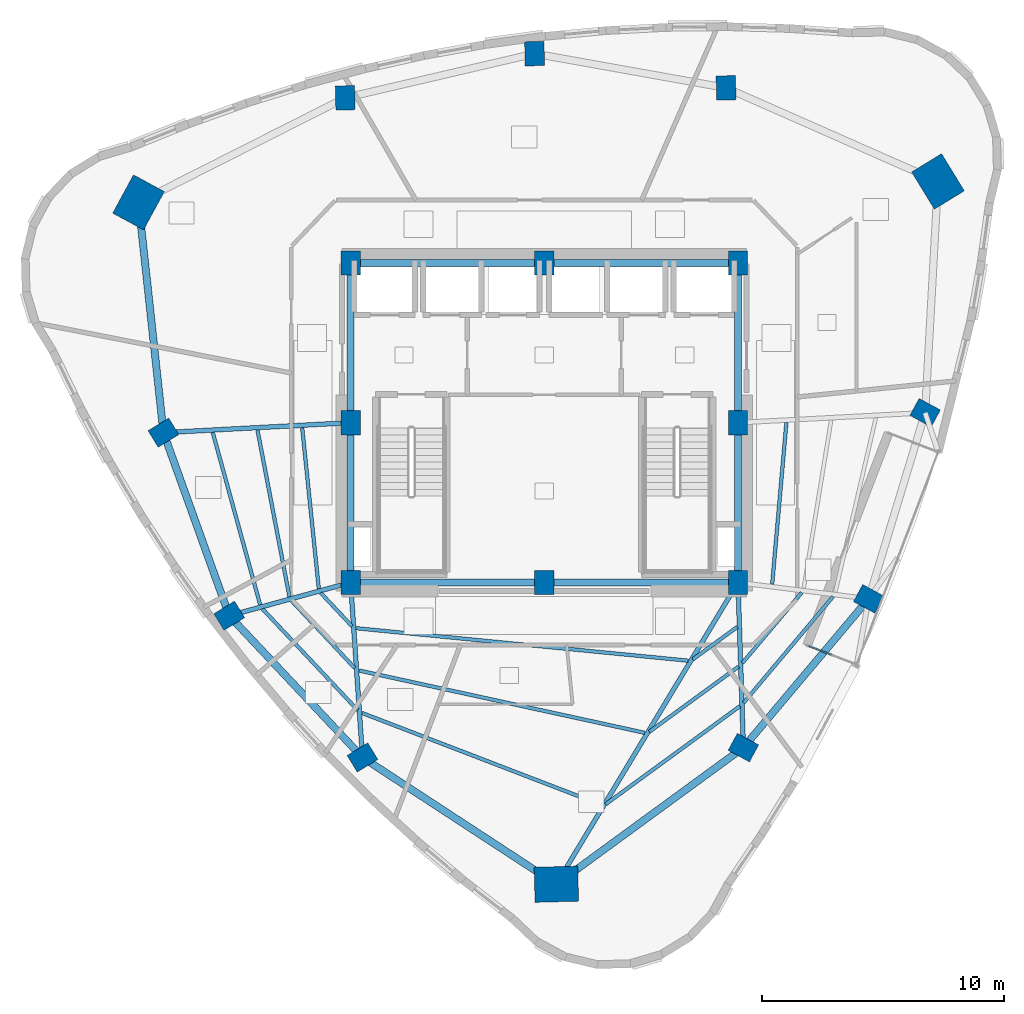
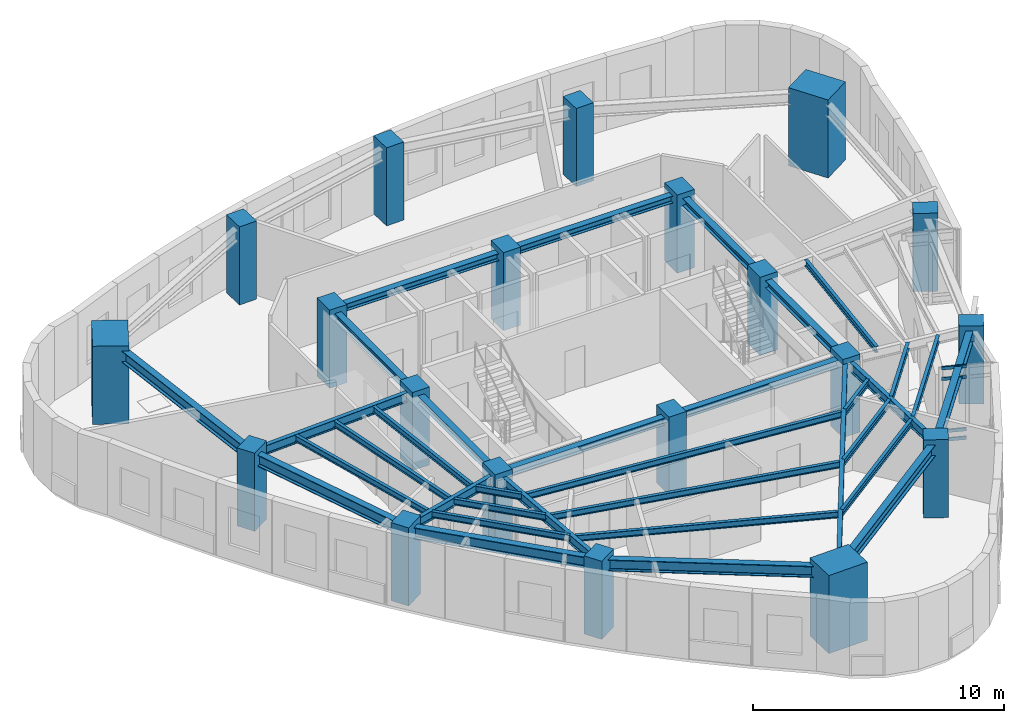
# One storey, part 1 of 10: 34 beams, 20 columns, 4 members, 1 element without a shape of its own.
"""IFC4 building model written with IfcOpenShell, lengths in metres."""

from ifc_helpers import new_model, si_unit, direction, frame, origin, origin_2d, place, context, subcontext, project, spatial, rectangle, hollow_rectangle, i_section, extrude, material, layer, layer_set, material_profile, profile_set, type_object, element, aggregate, save


model = new_model("IFC4")

# Units and contexts
model_context = context("Model", 3, precision=1e-05, world=origin(), true_north=direction((0.0, 1.0)))
body_context = subcontext(model_context, "Body", "Model", "MODEL_VIEW")
ifc_project = project(units=[si_unit("LENGTHUNIT", "METRE"), si_unit("AREAUNIT", "SQUARE_METRE"), si_unit("VOLUMEUNIT", "CUBIC_METRE"), si_unit("PLANEANGLEUNIT", "RADIAN"), si_unit("MASSUNIT", "GRAM", prefix="KILO")], contexts=[model_context])

# Site, building, storey
site_placement = place(None, origin())
site = spatial("IfcSite", under=ifc_project, at=site_placement, CompositionType="ELEMENT")
building_placement = place(site_placement, origin())
building = spatial("IfcBuilding", under=site, at=building_placement, Name="Ndelora Gate Hotel", CompositionType="ELEMENT")
storey_placement = place(building_placement, frame((0.0, 0.0, 239.75)))
storey = spatial("IfcBuildingStorey", under=building, at=storey_placement, Name="L60", CompositionType="ELEMENT", Elevation=239.75)

# Columns
ifc_material_1 = material(Name="Concrete C50/60", Category="concrete")
ifc_material_profile_1 = material_profile(ifc_material_1, rectangle(XDim=0.800048828125, YDim=1.0, at=origin_2d()), Name="RC 1000x800")
ifc_profile_set_1 = profile_set([ifc_material_profile_1], Name="Concrete C50/60")
column_type_1 = type_object("IfcColumnType", Name="COL-CC-HI", PredefinedType="COLUMN", material=ifc_profile_set_1)
for number, where, z_axis, x_axis, name in (
    (1, (-8.0, -6.60009765625, 0.0), (0.0, 0.0, 1.0), (1.0, 0.0, 0.0), "L60 Core Column CC1"),
    (2, (0.0, -6.60009765625, 0.0), (0.0, 0.0, 1.0), (1.0, 0.0, 0.0), "L60 Core Column CC2"),
    (3, (8.0, -6.60009765625, 0.0), (0.0, 0.0, 1.0), (1.0, 0.0, 0.0), "L60 Core Column CC3"),
    (4, (8.0, 0.0, 0.0), (0.0, 0.0, 1.0), (1.0, 0.0, 0.0), "L60 Core Column CC4"),
    (5, (8.0, 6.60009765625, 0.0), (0.0, 0.0, 1.0), (1.0, 0.0, 0.0), "L60 Core Column CC5"),
    (6, (0.0, 6.60009765625, 0.0), (0.0, 0.0, 1.0), (1.0, 0.0, 0.0), "L60 Core Column CC6"),
    (7, (-8.0, 6.60009765625, 0.0), (0.0, 0.0, 1.0), (1.0, 0.0, 0.0), "L60 Core Column CC7"),
    (8, (-8.0, 0.0, 0.0), (0.0, 0.0, 1.0), (1.0, 0.0, 0.0), "L60 Core Column CC8"),
):
    element("IfcColumn", number, at=place(storey_placement, frame(where, z_axis=z_axis, x_axis=x_axis)), inside=storey, type_object=column_type_1, Name=name, PredefinedType="COLUMN", context=body_context, shape_type="SweptSolid", body=[
        extrude(rectangle(XDim=0.800048828125, YDim=1.0, at=origin_2d()), origin(), (0.0, 0.0, 1.0), 3.800048828125),
    ])
ifc_material_profile_2 = material_profile(ifc_material_1, rectangle(XDim=1.449951171875, YDim=1.800048828125, at=origin_2d()), Name="RC 1800x1450")
ifc_profile_set_2 = profile_set([ifc_material_profile_2], Name="Concrete C50/60")
column_type_2 = type_object("IfcColumnType", Name="COL-MC-Z3", PredefinedType="COLUMN", material=ifc_profile_set_2)
for number, where, z_axis, x_axis, name in (
    (9, (-16.759521484375, 9.099609375, 0.0), (0.0, 0.0, 1.0), (-0.878817112662, 0.47715876026, 0.0), "L60 Corner Mega-Column R1"),
    (10, (0.499267578125, -19.064208984375, 0.0), (0.0, 0.0, 1.0), (-0.026176948308, 0.999657324976, 0.0), "L60 Corner Mega-Column R5"),
    (11, (16.26025390625, 9.96435546875, 0.0), (0.0, 0.0, 1.0), (0.852640164354, 0.522498564716, 0.0), "L60 Corner Mega-Column R9"),
):
    element("IfcColumn", number, at=place(storey_placement, frame(where, z_axis=z_axis, x_axis=x_axis)), inside=storey, type_object=column_type_2, Name=name, PredefinedType="COLUMN", context=body_context, shape_type="SweptSolid", body=[
        extrude(rectangle(XDim=1.449951171875, YDim=1.800048828125, at=origin_2d()), origin(), (0.0, 0.0, 1.0), 3.800048828125),
    ])
ifc_material_profile_3 = material_profile(ifc_material_1, rectangle(XDim=0.800048828125, YDim=1.0, at=origin_2d()), Name="RC 1000x800")
ifc_profile_set_3 = profile_set([ifc_material_profile_3], Name="Concrete C50/60")
column_type_3 = type_object("IfcColumnType", Name="COL-PT-Z3", PredefinedType="COLUMN", material=ifc_profile_set_3)
for number, where, z_axis, x_axis, name in (
    (12, (-15.72998046875, -0.411865234375, 0.0), (0.0, 0.0, 1.0), (-0.522498564716, 0.852640164354, 0.0), "L60 Perimeter Tube Column R2"),
    (13, (-13.011962890625, -7.973876953125, 0.0), (0.0, 0.0, 1.0), (-0.522498564716, 0.852640164354, 0.0), "L60 Perimeter Tube Column R3"),
    (14, (-7.50830078125, -13.828369140625, 0.0), (0.0, 0.0, 1.0), (-0.522498564716, 0.852640164354, 0.0), "L60 Perimeter Tube Column R4"),
    (15, (8.223876953125, -13.419921875, 0.0), (0.0, 0.0, 1.0), (0.47715876026, 0.878817112662, 0.0), "L60 Perimeter Tube Column R6"),
    (16, (13.400390625, -7.275634765625, 0.0), (0.0, 0.0, 1.0), (0.47715876026, 0.878817112662, 0.0), "L60 Perimeter Tube Column R7"),
    (17, (15.72998046875, 0.411865234375, 0.0), (0.0, 0.0, 1.0), (0.47715876026, 0.878817112662, 0.0), "L60 Perimeter Tube Column R8"),
    (18, (7.50830078125, 13.828369140625, 0.0), (0.0, 0.0, 1.0), (0.999657324976, 0.026176948308, 0.0), "L60 Perimeter Tube Column R10"),
    (19, (-0.399169921875, 15.242919921875, 0.0), (0.0, 0.0, 1.0), (0.999657324976, 0.026176948308, 0.0), "L60 Perimeter Tube Column R11"),
    (20, (-8.2216796875, 13.41650390625, 0.0), (0.0, 0.0, 1.0), (0.999657324976, 0.026176948308, 0.0), "L60 Perimeter Tube Column R12"),
):
    element("IfcColumn", number, at=place(storey_placement, frame(where, z_axis=z_axis, x_axis=x_axis)), inside=storey, type_object=column_type_3, Name=name, PredefinedType="COLUMN", context=body_context, shape_type="SweptSolid", body=[
        extrude(rectangle(XDim=0.800048828125, YDim=1.0, at=origin_2d()), origin(), (0.0, 0.0, 1.0), 3.800048828125),
    ])

# Beams
ifc_material_2 = material(Name="Steel S355", Category="steel")
ifc_material_profile_4 = material_profile(ifc_material_2, i_section(OverallWidth=0.300048828125, OverallDepth=0.35009765625, WebThickness=0.010009765625, FlangeThickness=0.017578125, FilletRadius=0.027099609375, at=origin_2d()), Name="HEA 360")
ifc_profile_set_4 = profile_set([ifc_material_profile_4], Name="Steel S355")
beam_type_1 = type_object("IfcBeamType", Name="BM-CORE-350", PredefinedType="BEAM", material=ifc_profile_set_4)
for number, where, z_axis, x_axis, name in (
    (21, (-8.0, 6.60009765625, 3.375), (1.0, 0.0, 0.0), (0.0, 1.0, 0.0), "L60 Core Tie Girder CC7-CC6"),
    (22, (0.0, 6.60009765625, 3.375), (1.0, 0.0, 0.0), (0.0, 1.0, 0.0), "L60 Core Tie Girder CC6-CC5"),
):
    element("IfcBeam", number, at=place(storey_placement, frame(where, z_axis=z_axis, x_axis=x_axis)), inside=storey, type_object=beam_type_1, Name=name, PredefinedType="BEAM", context=body_context, shape_type="SweptSolid", body=[
        extrude(i_section(OverallWidth=0.300048828125, OverallDepth=0.35009765625, WebThickness=0.010009765625, FlangeThickness=0.017578125, FilletRadius=0.027099609375, at=origin_2d()), origin(), (0.0, 0.0, 1.0), 8.0),
    ])
for number, where, z_axis, x_axis, name in (
    (23, (-8.0, -6.60009765625, 3.375), (0.0, 1.0, 0.0), (-1.0, 0.0, 0.0), "L60 Core Tie Girder CC1-CC8"),
    (24, (-8.0, 0.0, 3.375), (0.0, 1.0, 0.0), (-1.0, 0.0, 0.0), "L60 Core Tie Girder CC8-CC7"),
    (25, (8.0, -6.60009765625, 3.375), (0.0, 1.0, 0.0), (-1.0, 0.0, 0.0), "L60 Core Tie Girder CC3-CC4"),
    (26, (8.0, 0.0, 3.375), (0.0, 1.0, 0.0), (-1.0, 0.0, 0.0), "L60 Core Tie Girder CC4-CC5"),
):
    element("IfcBeam", number, at=place(storey_placement, frame(where, z_axis=z_axis, x_axis=x_axis)), inside=storey, type_object=beam_type_1, Name=name, PredefinedType="BEAM", context=body_context, shape_type="SweptSolid", body=[
        extrude(i_section(OverallWidth=0.300048828125, OverallDepth=0.35009765625, WebThickness=0.010009765625, FlangeThickness=0.017578125, FilletRadius=0.027099609375, at=origin_2d()), origin(), (0.0, 0.0, 1.0), 6.60009765625),
    ])
for number, where, z_axis, x_axis, name in (
    (27, (-8.0, -6.60009765625, 3.375), (1.0, 0.0, 0.0), (0.0, 1.0, 0.0), "L60 Core Tie Girder CC1-CC2"),
    (28, (0.0, -6.60009765625, 3.375), (1.0, 0.0, 0.0), (0.0, 1.0, 0.0), "L60 Core Tie Girder CC2-CC3"),
):
    element("IfcBeam", number, at=place(storey_placement, frame(where, z_axis=z_axis, x_axis=x_axis)), inside=storey, type_object=beam_type_1, Name=name, PredefinedType="BEAM", context=body_context, shape_type="SweptSolid", body=[
        extrude(i_section(OverallWidth=0.300048828125, OverallDepth=0.35009765625, WebThickness=0.010009765625, FlangeThickness=0.017578125, FilletRadius=0.027099609375, at=origin_2d()), origin(), (0.0, 0.0, 1.0), 8.0),
    ])
ifc_material_profile_5 = material_profile(ifc_material_2, i_section(OverallWidth=0.14990234375, OverallDepth=0.300048828125, WebThickness=0.007080078125, FlangeThickness=0.0107421875, FilletRadius=0.014892578125, at=origin_2d()), Name="IPE 300")
ifc_profile_set_5 = profile_set([ifc_material_profile_5], Name="Steel S355")
beam_type_2 = type_object("IfcBeamType", Name="BM-JST-300", PredefinedType="JOIST", material=ifc_profile_set_5)
beam_1_placement = place(storey_placement, frame((-9.9990234375, -0.21142578125, 3.39990234375), z_axis=(0.10260596827, -0.994722079415, 0.0), x_axis=(0.994722079415, 0.10260596827, 0.0)))
element("IfcBeam", 29, at=beam_1_placement, inside=storey, type_object=beam_type_2, Name="L60 Secondary Composite Floor Joist IN-2", PredefinedType="JOIST", context=body_context, shape_type="SweptSolid", body=[
    extrude(i_section(OverallWidth=0.14990234375, OverallDepth=0.300048828125, WebThickness=0.007080078125, FlangeThickness=0.0107421875, FilletRadius=0.014892578125, at=origin_2d()), origin(), (0.0, 0.0, 1.0), 6.676513671875),
])
beam_2_placement = place(storey_placement, frame((-11.84521484375, -0.30908203125, 3.39990234375), z_axis=(0.188470955684, -0.982078764083, 0.0), x_axis=(0.982078764083, 0.188470955684, 0.0)))
element("IfcBeam", 30, at=beam_2_placement, inside=storey, type_object=beam_type_2, Name="L60 Secondary Composite Floor Joist MID-2", PredefinedType="JOIST", context=body_context, shape_type="SweptSolid", body=[
    extrude(i_section(OverallWidth=0.14990234375, OverallDepth=0.300048828125, WebThickness=0.007080078125, FlangeThickness=0.0107421875, FilletRadius=0.014892578125, at=origin_2d()), origin(), (0.0, 0.0, 1.0), 7.000244140625),
])
beam_3_placement = place(storey_placement, frame((-13.6923828125, -0.406005859375, 3.39990234375), z_axis=(0.2652180483, -0.964188460238, 0.0), x_axis=(0.964188460238, 0.2652180483, 0.0)))
element("IfcBeam", 31, at=beam_3_placement, inside=storey, type_object=beam_type_2, Name="L60 Secondary Composite Floor Joist OUT-2", PredefinedType="JOIST", context=body_context, shape_type="SweptSolid", body=[
    extrude(i_section(OverallWidth=0.14990234375, OverallDepth=0.300048828125, WebThickness=0.007080078125, FlangeThickness=0.0107421875, FilletRadius=0.014892578125, at=origin_2d()), origin(), (0.0, 0.0, 1.0), 7.37353515625),
])
beam_4_placement = place(storey_placement, frame((-9.231201171875, -7.03369140625, 3.39990234375), z_axis=(0.684943115963, -0.728596546722, 0.0), x_axis=(0.728596546722, 0.684943115963, 0.0)))
element("IfcBeam", 32, at=beam_4_placement, inside=storey, type_object=beam_type_2, Name="L60 Secondary Composite Floor Joist IN-3", PredefinedType="JOIST", context=body_context, shape_type="SweptSolid", body=[
    extrude(i_section(OverallWidth=0.14990234375, OverallDepth=0.300048828125, WebThickness=0.007080078125, FlangeThickness=0.0107421875, FilletRadius=0.014892578125, at=origin_2d()), origin(), (0.0, 0.0, 1.0), 1.879150390625),
])
beam_5_placement = place(storey_placement, frame((-10.43408203125, -7.36328125, 3.39990234375), z_axis=(0.684938600536, -0.728600791584, 0.0), x_axis=(0.728600791584, 0.684938600536, 0.0)))
element("IfcBeam", 33, at=beam_5_placement, inside=storey, type_object=beam_type_2, Name="L60 Secondary Composite Floor Joist MID-3", PredefinedType="JOIST", context=body_context, shape_type="SweptSolid", body=[
    extrude(i_section(OverallWidth=0.14990234375, OverallDepth=0.300048828125, WebThickness=0.007080078125, FlangeThickness=0.0107421875, FilletRadius=0.014892578125, at=origin_2d()), origin(), (0.0, 0.0, 1.0), 3.807861328125),
])
beam_6_placement = place(storey_placement, frame((-11.636962890625, -7.693115234375, 3.39990234375), z_axis=(0.68493576734, -0.728603454986, 0.0), x_axis=(0.728603454986, 0.68493576734, 0.0)))
element("IfcBeam", 34, at=beam_6_placement, inside=storey, type_object=beam_type_2, Name="L60 Secondary Composite Floor Joist OUT-3", PredefinedType="JOIST", context=body_context, shape_type="SweptSolid", body=[
    extrude(i_section(OverallWidth=0.14990234375, OverallDepth=0.300048828125, WebThickness=0.007080078125, FlangeThickness=0.0107421875, FilletRadius=0.014892578125, at=origin_2d()), origin(), (0.0, 0.0, 1.0), 5.736328125),
])
beam_7_placement = place(storey_placement, frame((-7.767578125, -8.489501953125, 3.39990234375), z_axis=(0.995253727902, -0.097314012848, 0.0), x_axis=(0.097314012848, 0.995253727902, 0.0)))
element("IfcBeam", 35, at=beam_7_placement, inside=storey, type_object=beam_type_2, Name="L60 Secondary Composite Floor Joist IN-4", PredefinedType="JOIST", context=body_context, shape_type="SweptSolid", body=[
    extrude(i_section(OverallWidth=0.14990234375, OverallDepth=0.300048828125, WebThickness=0.007080078125, FlangeThickness=0.0107421875, FilletRadius=0.014892578125, at=origin_2d()), origin(), (0.0, 0.0, 1.0), 13.7783203125),
])
beam_8_placement = place(storey_placement, frame((-7.651611328125, -10.236572265625, 3.39990234375), z_axis=(0.977032906758, -0.213088477191, 0.0), x_axis=(0.213088477191, 0.977032906758, 0.0)))
element("IfcBeam", 36, at=beam_8_placement, inside=storey, type_object=beam_type_2, Name="L60 Secondary Composite Floor Joist MID-4", PredefinedType="JOIST", context=body_context, shape_type="SweptSolid", body=[
    extrude(i_section(OverallWidth=0.14990234375, OverallDepth=0.300048828125, WebThickness=0.007080078125, FlangeThickness=0.0107421875, FilletRadius=0.014892578125, at=origin_2d()), origin(), (0.0, 0.0, 1.0), 12.075927734375),
])
beam_9_placement = place(storey_placement, frame((-7.5380859375, -11.98681640625, 3.39990234375), z_axis=(0.933489266504, -0.358605339227, 0.0), x_axis=(0.358605339227, 0.933489266504, 0.0)))
element("IfcBeam", 37, at=beam_9_placement, inside=storey, type_object=beam_type_2, Name="L60 Secondary Composite Floor Joist OUT-4", PredefinedType="JOIST", context=body_context, shape_type="SweptSolid", body=[
    extrude(i_section(OverallWidth=0.14990234375, OverallDepth=0.300048828125, WebThickness=0.007080078125, FlangeThickness=0.0107421875, FilletRadius=0.014892578125, at=origin_2d()), origin(), (0.0, 0.0, 1.0), 10.593994140625),
])
beam_10_placement = place(storey_placement, frame((6.134521484375, -9.77880859375, 3.39990234375), z_axis=(0.80739897839, 0.590005838696, 0.0), x_axis=(-0.590005838696, 0.80739897839, 0.0)))
element("IfcBeam", 38, at=beam_10_placement, inside=storey, type_object=beam_type_2, Name="L60 Secondary Composite Floor Joist IN-5", PredefinedType="JOIST", context=body_context, shape_type="SweptSolid", body=[
    extrude(i_section(OverallWidth=0.14990234375, OverallDepth=0.300048828125, WebThickness=0.007080078125, FlangeThickness=0.0107421875, FilletRadius=0.014892578125, at=origin_2d()), origin(), (0.0, 0.0, 1.0), 2.277587890625),
])
beam_11_placement = place(storey_placement, frame((4.33447265625, -12.77001953125, 3.39990234375), z_axis=(0.807439047151, 0.589951002318, 0.0), x_axis=(-0.589951002318, 0.807439047151, 0.0)))
element("IfcBeam", 39, at=beam_11_placement, inside=storey, type_object=beam_type_2, Name="L60 Secondary Composite Floor Joist MID-5", PredefinedType="JOIST", context=body_context, shape_type="SweptSolid", body=[
    extrude(i_section(OverallWidth=0.14990234375, OverallDepth=0.300048828125, WebThickness=0.007080078125, FlangeThickness=0.0107421875, FilletRadius=0.014892578125, at=origin_2d()), origin(), (0.0, 0.0, 1.0), 4.5732421875),
])
beam_12_placement = place(storey_placement, frame((2.5341796875, -15.761474609375, 3.39990234375), z_axis=(0.807430841486, 0.589962232874, 0.0), x_axis=(-0.589962232874, 0.807430841486, 0.0)))
element("IfcBeam", 40, at=beam_12_placement, inside=storey, type_object=beam_type_2, Name="L60 Secondary Composite Floor Joist OUT-5", PredefinedType="JOIST", context=body_context, shape_type="SweptSolid", body=[
    extrude(i_section(OverallWidth=0.14990234375, OverallDepth=0.300048828125, WebThickness=0.007080078125, FlangeThickness=0.0107421875, FilletRadius=0.014892578125, at=origin_2d()), origin(), (0.0, 0.0, 1.0), 6.869384765625),
])
beam_13_placement = place(storey_placement, frame((8.1796875, -9.9296875, 3.39990234375), z_axis=(0.644319387893, 0.764756514444, 0.0), x_axis=(-0.764756514444, 0.644319387893, 0.0)))
element("IfcBeam", 41, at=beam_13_placement, inside=storey, type_object=beam_type_2, Name="L60 Secondary Composite Floor Joist MID-6", PredefinedType="JOIST", context=body_context, shape_type="SweptSolid", body=[
    extrude(i_section(OverallWidth=0.14990234375, OverallDepth=0.300048828125, WebThickness=0.007080078125, FlangeThickness=0.0107421875, FilletRadius=0.014892578125, at=origin_2d()), origin(), (0.0, 0.0, 1.0), 3.806884765625),
])
beam_14_placement = place(storey_placement, frame((8.2333984375, -11.56640625, 3.39990234375), z_axis=(0.644324492463, 0.764752213735, 0.0), x_axis=(-0.764752213735, 0.644324492463, 0.0)))
element("IfcBeam", 42, at=beam_14_placement, inside=storey, type_object=beam_type_2, Name="L60 Secondary Composite Floor Joist OUT-6", PredefinedType="JOIST", context=body_context, shape_type="SweptSolid", body=[
    extrude(i_section(OverallWidth=0.14990234375, OverallDepth=0.300048828125, WebThickness=0.007080078125, FlangeThickness=0.0107421875, FilletRadius=0.014892578125, at=origin_2d()), origin(), (0.0, 0.0, 1.0), 5.735107421875),
])
beam_15_placement = place(storey_placement, frame((9.413330078125, -6.671142578125, 3.39990234375), z_axis=(0.087643872384, 0.996151871771, 0.0), x_axis=(-0.996151871771, 0.087643872384, 0.0)))
element("IfcBeam", 43, at=beam_15_placement, inside=storey, type_object=beam_type_2, Name="L60 Secondary Composite Floor Joist IN-7", PredefinedType="JOIST", context=body_context, shape_type="SweptSolid", body=[
    extrude(i_section(OverallWidth=0.14990234375, OverallDepth=0.300048828125, WebThickness=0.007080078125, FlangeThickness=0.0107421875, FilletRadius=0.014892578125, at=origin_2d()), origin(), (0.0, 0.0, 1.0), 6.699462890625),
])
ifc_material_profile_6 = material_profile(ifc_material_2, i_section(OverallWidth=0.18994140625, OverallDepth=0.449951171875, WebThickness=0.009521484375, FlangeThickness=0.0146484375, FilletRadius=0.02099609375, at=origin_2d()), Name="IPE 450")
ifc_profile_set_6 = profile_set([ifc_material_profile_6], Name="Steel S355")
beam_type_3 = type_object("IfcBeamType", Name="BM-RAD-450", PredefinedType="BEAM", material=ifc_profile_set_6)
beam_16_placement = place(storey_placement, frame((-8.0, 0.0, 3.324951171875), z_axis=(-0.998583554121, -0.053206065814, 0.0), x_axis=(0.053206065814, -0.998583554121, 0.0)))
element("IfcBeam", 44, at=beam_16_placement, inside=storey, type_object=beam_type_3, Name="L60 Radial Floor Girder 2", PredefinedType="BEAM", context=body_context, shape_type="SweptSolid", body=[
    extrude(i_section(OverallWidth=0.18994140625, OverallDepth=0.449951171875, WebThickness=0.009521484375, FlangeThickness=0.0146484375, FilletRadius=0.02099609375, at=origin_2d()), origin(), (0.0, 0.0, 1.0), 7.740966796875),
])
beam_17_placement = place(storey_placement, frame((-8.0, -6.60009765625, 3.324951171875), z_axis=(-0.96442695542, -0.264349480157, 0.0), x_axis=(0.264349480157, -0.96442695542, 0.0)))
element("IfcBeam", 45, at=beam_17_placement, inside=storey, type_object=beam_type_3, Name="L60 Radial Floor Girder 3", PredefinedType="BEAM", context=body_context, shape_type="SweptSolid", body=[
    extrude(i_section(OverallWidth=0.18994140625, OverallDepth=0.449951171875, WebThickness=0.009521484375, FlangeThickness=0.0146484375, FilletRadius=0.02099609375, at=origin_2d()), origin(), (0.0, 0.0, 1.0), 5.19677734375),
])
beam_18_placement = place(storey_placement, frame((-8.0, -6.60009765625, 3.324951171875), z_axis=(0.067867612113, -0.997694335569, 0.0), x_axis=(0.997694335569, 0.067867612113, 0.0)))
element("IfcBeam", 46, at=beam_18_placement, inside=storey, type_object=beam_type_3, Name="L60 Radial Floor Girder 4", PredefinedType="BEAM", context=body_context, shape_type="SweptSolid", body=[
    extrude(i_section(OverallWidth=0.18994140625, OverallDepth=0.449951171875, WebThickness=0.009521484375, FlangeThickness=0.0146484375, FilletRadius=0.02099609375, at=origin_2d()), origin(), (0.0, 0.0, 1.0), 7.244873046875),
])
beam_19_placement = place(storey_placement, frame((8.0, -6.60009765625, 3.324951171875), z_axis=(-0.515620753203, -0.856816922607, 0.0), x_axis=(0.856816922607, -0.515620753203, 0.0)))
element("IfcBeam", 47, at=beam_19_placement, inside=storey, type_object=beam_type_3, Name="L60 Radial Floor Girder 5", PredefinedType="BEAM", context=body_context, shape_type="SweptSolid", body=[
    extrude(i_section(OverallWidth=0.18994140625, OverallDepth=0.449951171875, WebThickness=0.009521484375, FlangeThickness=0.0146484375, FilletRadius=0.02099609375, at=origin_2d()), origin(), (0.0, 0.0, 1.0), 14.546875),
])
beam_20_placement = place(storey_placement, frame((8.0, -6.60009765625, 3.324951171875), z_axis=(0.032809705109, -0.999461616697, 0.0), x_axis=(0.999461616697, 0.032809705109, 0.0)))
element("IfcBeam", 48, at=beam_20_placement, inside=storey, type_object=beam_type_3, Name="L60 Radial Floor Girder 6", PredefinedType="BEAM", context=body_context, shape_type="SweptSolid", body=[
    extrude(i_section(OverallWidth=0.18994140625, OverallDepth=0.449951171875, WebThickness=0.009521484375, FlangeThickness=0.0146484375, FilletRadius=0.02099609375, at=origin_2d()), origin(), (0.0, 0.0, 1.0), 6.823486328125),
])
ifc_material_profile_7 = material_profile(ifc_material_2, i_section(OverallWidth=0.300048828125, OverallDepth=0.550048828125, WebThickness=0.014892578125, FlangeThickness=0.029052734375, FilletRadius=0.027099609375, at=origin_2d()), Name="HEB 550")
ifc_profile_set_7 = profile_set([ifc_material_profile_7], Name="Steel S355")
beam_type_4 = type_object("IfcBeamType", Name="BM-RING-550", PredefinedType="SPANDREL", material=ifc_profile_set_7)
beam_21_placement = place(storey_placement, frame((-16.759521484375, 9.099609375, 3.27490234375), z_axis=(0.107613416645, -0.994192814578, 0.0), x_axis=(0.994192814578, 0.107613416645, 0.0)))
element("IfcBeam", 49, at=beam_21_placement, inside=storey, type_object=beam_type_4, Name="L60 Perimeter Spandrel Girder 1", PredefinedType="SPANDREL", context=body_context, shape_type="SweptSolid", body=[
    extrude(i_section(OverallWidth=0.300048828125, OverallDepth=0.550048828125, WebThickness=0.014892578125, FlangeThickness=0.029052734375, FilletRadius=0.027099609375, at=origin_2d()), origin(), (0.0, 0.0, 1.0), 9.567138671875),
])
beam_22_placement = place(storey_placement, frame((-15.72998046875, -0.411865234375, 3.27490234375), z_axis=(0.338244972382, -0.941058095262, 0.0), x_axis=(0.941058095262, 0.338244972382, 0.0)))
element("IfcBeam", 50, at=beam_22_placement, inside=storey, type_object=beam_type_4, Name="L60 Perimeter Spandrel Girder 2", PredefinedType="SPANDREL", context=body_context, shape_type="SweptSolid", body=[
    extrude(i_section(OverallWidth=0.300048828125, OverallDepth=0.550048828125, WebThickness=0.014892578125, FlangeThickness=0.029052734375, FilletRadius=0.027099609375, at=origin_2d()), origin(), (0.0, 0.0, 1.0), 8.03564453125),
])
beam_23_placement = place(storey_placement, frame((-13.011962890625, -7.973876953125, 3.27490234375), z_axis=(0.684939043371, -0.728600375285, 0.0), x_axis=(0.728600375285, 0.684939043371, 0.0)))
element("IfcBeam", 51, at=beam_23_placement, inside=storey, type_object=beam_type_4, Name="L60 Perimeter Spandrel Girder 3", PredefinedType="SPANDREL", context=body_context, shape_type="SweptSolid", body=[
    extrude(i_section(OverallWidth=0.300048828125, OverallDepth=0.550048828125, WebThickness=0.014892578125, FlangeThickness=0.029052734375, FilletRadius=0.027099609375, at=origin_2d()), origin(), (0.0, 0.0, 1.0), 8.03515625),
])
beam_24_placement = place(storey_placement, frame((-7.50830078125, -13.828369140625, 3.27490234375), z_axis=(0.836963769915, -0.547258300851, 0.0), x_axis=(0.547258300851, 0.836963769915, 0.0)))
element("IfcBeam", 52, at=beam_24_placement, inside=storey, type_object=beam_type_4, Name="L60 Perimeter Spandrel Girder 4", PredefinedType="SPANDREL", context=body_context, shape_type="SweptSolid", body=[
    extrude(i_section(OverallWidth=0.300048828125, OverallDepth=0.550048828125, WebThickness=0.014892578125, FlangeThickness=0.029052734375, FilletRadius=0.027099609375, at=origin_2d()), origin(), (0.0, 0.0, 1.0), 9.5673828125),
])
beam_25_placement = place(storey_placement, frame((0.499267578125, -19.064208984375, 3.27490234375), z_axis=(0.807421980226, 0.58997436033, 0.0), x_axis=(-0.58997436033, 0.807421980226, 0.0)))
element("IfcBeam", 53, at=beam_25_placement, inside=storey, type_object=beam_type_4, Name="L60 Perimeter Spandrel Girder 5", PredefinedType="SPANDREL", context=body_context, shape_type="SweptSolid", body=[
    extrude(i_section(OverallWidth=0.300048828125, OverallDepth=0.550048828125, WebThickness=0.014892578125, FlangeThickness=0.029052734375, FilletRadius=0.027099609375, at=origin_2d()), origin(), (0.0, 0.0, 1.0), 9.56689453125),
])
beam_26_placement = place(storey_placement, frame((8.223876953125, -13.419921875, 3.27490234375), z_axis=(0.644308845181, 0.764765396721, 0.0), x_axis=(-0.764765396721, 0.644308845181, 0.0)))
element("IfcBeam", 54, at=beam_26_placement, inside=storey, type_object=beam_type_4, Name="L60 Perimeter Spandrel Girder 6", PredefinedType="SPANDREL", context=body_context, shape_type="SweptSolid", body=[
    extrude(i_section(OverallWidth=0.300048828125, OverallDepth=0.550048828125, WebThickness=0.014892578125, FlangeThickness=0.029052734375, FilletRadius=0.027099609375, at=origin_2d()), origin(), (0.0, 0.0, 1.0), 8.0341796875),
])

# Curtain wall, members
ifc_material_3 = material(Name="Bronze Anodised Unitised Aluminium and Low-E Glass", Category="aluminium")
ifc_layer = layer(ifc_material_3, 0.199951171875)
ifc_layer_set = layer_set([ifc_layer], Name="Bronze Anodised Unitised Aluminium and Low-E Glass")
curtain_wall_type = type_object("IfcCurtainWallType", Name="CW-SYS-3", PredefinedType="NOTDEFINED", material=ifc_layer_set)
curtain_wall_placement = place(storey_placement, origin())
curtain_wall = element("IfcCurtainWall", 55, at=curtain_wall_placement, inside=storey, type_object=curtain_wall_type, Name="L60 Sky-Garden Loggia Side Curtain Wall CW3-1", PredefinedType="NOTDEFINED")
ifc_material_4 = material(Name="Bronze Anodised Aluminium 6063-T6", Category="aluminium")
ifc_material_profile_8 = material_profile(ifc_material_4, hollow_rectangle(XDim=0.06494140625, YDim=0.159912109375, WallThickness=0.00390625, InnerFilletRadius=0.00390625, OuterFilletRadius=0.008056640625, at=origin_2d()), Name="ALU 160x65x4")
ifc_profile_set_8 = profile_set([ifc_material_profile_8], Name="Bronze Anodised Aluminium 6063-T6")
member_type = type_object("IfcMemberType", Name="MB-CW-TRN150", PredefinedType="USERDEFINED", material=ifc_profile_set_8)
member_1_placement = place(storey_placement, frame((10.90869140625, -9.221923828125, 0.032470703125), z_axis=(0.93358111833, -0.358366147253, 0.0), x_axis=(0.358366147253, 0.93358111833, 0.0)))
member_1 = element("IfcMember", 56, at=member_1_placement, type_object=member_type, Name="CW3 transom 1.1", ObjectType="TRANSOM", PredefinedType="USERDEFINED", context=body_context, shape_type="SweptSolid", body=[
    extrude(hollow_rectangle(XDim=0.06494140625, YDim=0.159912109375, WallThickness=0.00390625, InnerFilletRadius=0.00390625, OuterFilletRadius=0.008056640625, at=origin_2d()), origin(), (0.0, 0.0, 1.0), 1.014404296875),
])
member_2_placement = place(storey_placement, frame((10.90869140625, -9.221923828125, 0.449951171875), z_axis=(0.93358111833, -0.358366147253, 0.0), x_axis=(0.358366147253, 0.93358111833, 0.0)))
member_2 = element("IfcMember", 57, at=member_2_placement, type_object=member_type, Name="CW3 transom 1.2", ObjectType="TRANSOM", PredefinedType="USERDEFINED", context=body_context, shape_type="SweptSolid", body=[
    extrude(hollow_rectangle(XDim=0.06494140625, YDim=0.159912109375, WallThickness=0.00390625, InnerFilletRadius=0.00390625, OuterFilletRadius=0.008056640625, at=origin_2d()), origin(), (0.0, 0.0, 1.0), 1.014404296875),
])
member_3_placement = place(storey_placement, frame((10.90869140625, -9.221923828125, 3.0), z_axis=(0.93358111833, -0.358366147253, 0.0), x_axis=(0.358366147253, 0.93358111833, 0.0)))
member_3 = element("IfcMember", 58, at=member_3_placement, type_object=member_type, Name="CW3 transom 1.3", ObjectType="TRANSOM", PredefinedType="USERDEFINED", context=body_context, shape_type="SweptSolid", body=[
    extrude(hollow_rectangle(XDim=0.06494140625, YDim=0.159912109375, WallThickness=0.00390625, InnerFilletRadius=0.00390625, OuterFilletRadius=0.008056640625, at=origin_2d()), origin(), (0.0, 0.0, 1.0), 1.014404296875),
])
member_4_placement = place(storey_placement, frame((10.90869140625, -9.221923828125, 3.517578125), z_axis=(0.93358111833, -0.358366147253, 0.0), x_axis=(0.358366147253, 0.93358111833, 0.0)))
member_4 = element("IfcMember", 59, at=member_4_placement, type_object=member_type, Name="CW3 transom 1.4", ObjectType="TRANSOM", PredefinedType="USERDEFINED", context=body_context, shape_type="SweptSolid", body=[
    extrude(hollow_rectangle(XDim=0.06494140625, YDim=0.159912109375, WallThickness=0.00390625, InnerFilletRadius=0.00390625, OuterFilletRadius=0.008056640625, at=origin_2d()), origin(), (0.0, 0.0, 1.0), 1.014404296875),
])
aggregate(curtain_wall, [member_1, member_2, member_3, member_4])

save(model, "model.ifc")
